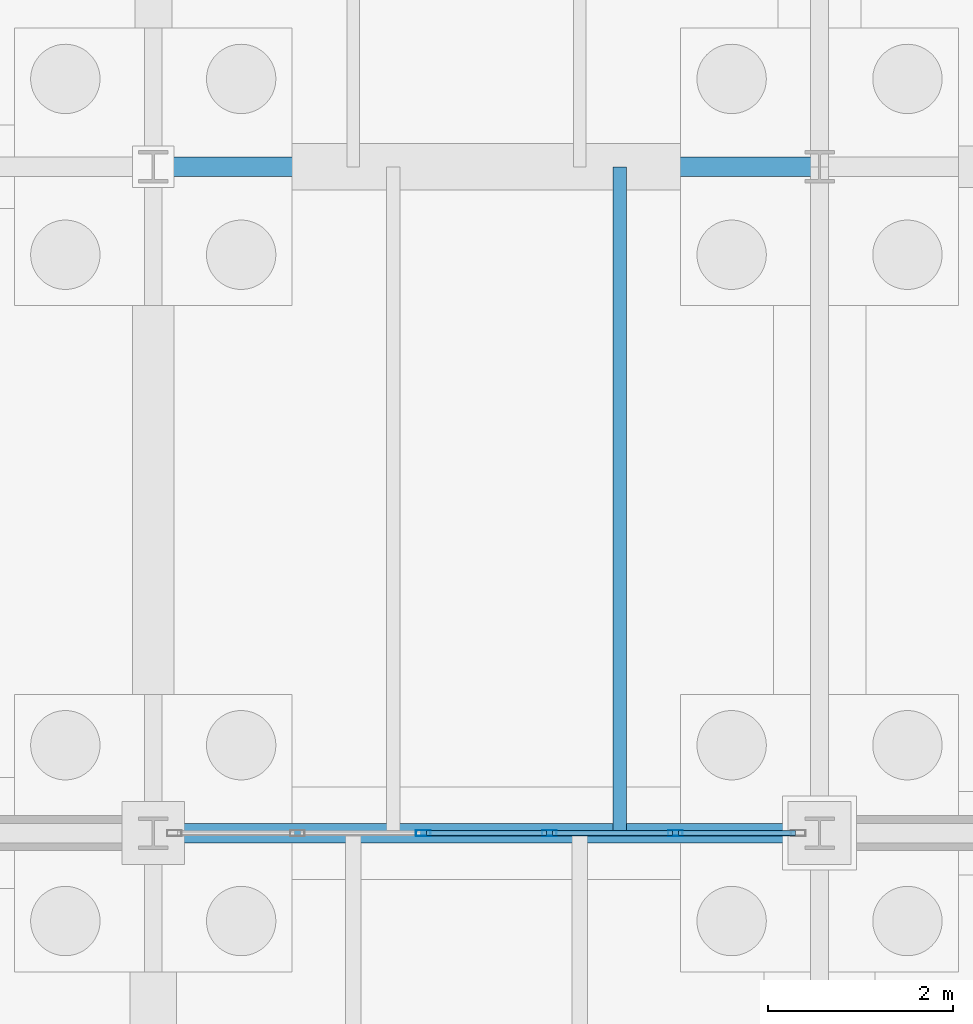
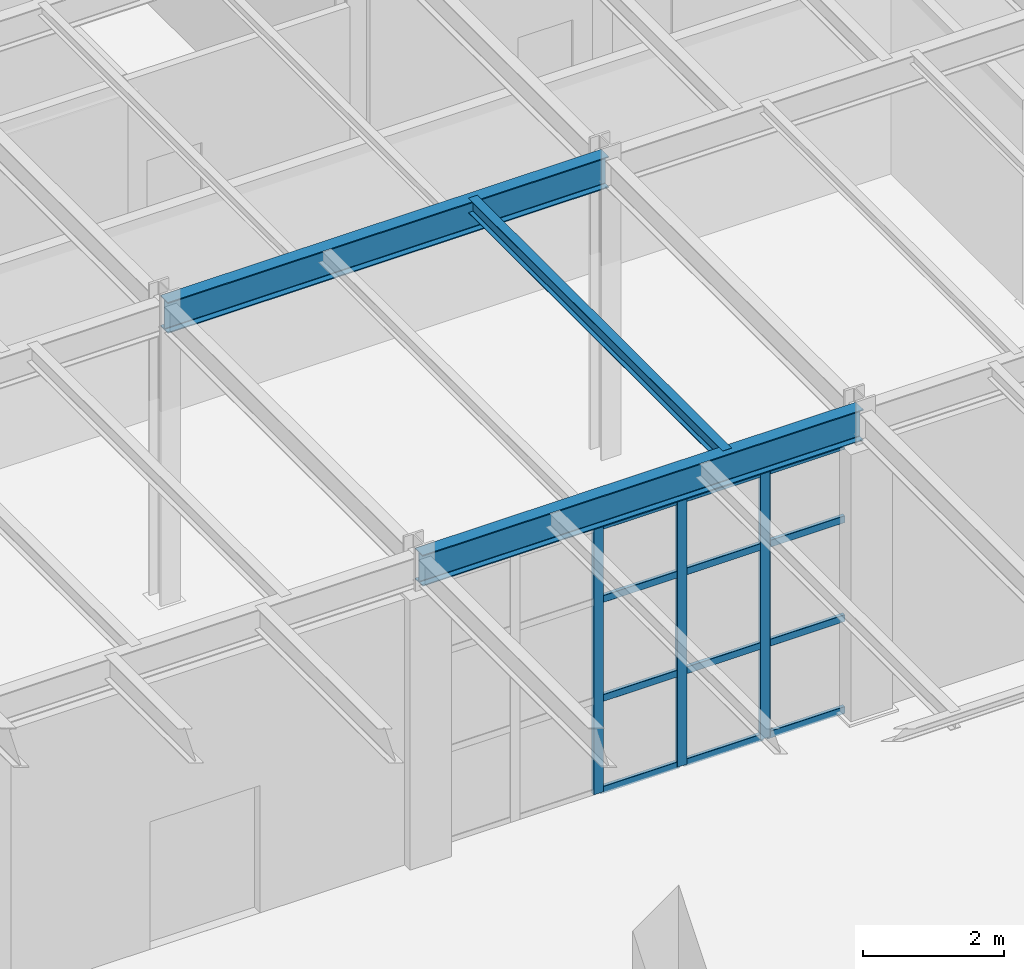
# One storey, part 73 of 293: 15 members, 3 beams, 1 element without a shape of its own.
"""IFC4 building model written with IfcOpenShell, lengths in metres."""

from ifc_helpers import new_model, si_unit, direction, frame, origin, origin_2d, place, context, subcontext, project, spatial, hollow_rectangle, i_section, extrude, material, layer, layer_set, material_profile, profile_set, type_object, element, aggregate, save


model = new_model("IFC4")

# Units and contexts
model_context = context("Model", 3, precision=1e-05, world=origin(), true_north=direction((0.0, 1.0)))
body_context = subcontext(model_context, "Body", "Model", "MODEL_VIEW")
ifc_project = project(units=[si_unit("LENGTHUNIT", "METRE"), si_unit("AREAUNIT", "SQUARE_METRE"), si_unit("VOLUMEUNIT", "CUBIC_METRE"), si_unit("PLANEANGLEUNIT", "RADIAN"), si_unit("MASSUNIT", "GRAM", prefix="KILO")], contexts=[model_context])

# Site, building, storey
site_placement = place(None, origin())
site = spatial("IfcSite", under=ifc_project, at=site_placement, CompositionType="ELEMENT")
building_placement = place(site_placement, origin())
building = spatial("IfcBuilding", under=site, at=building_placement, Name="Kemerveld Promenade Tramway Depot", CompositionType="ELEMENT")
storey_placement = place(building_placement, origin())
storey = spatial("IfcBuildingStorey", under=building, at=storey_placement, Name="L00", CompositionType="ELEMENT", Elevation=0.0)

# Beams
ifc_material_1 = material(Name="Steel S355", Category="steel")
ifc_material_profile_1 = material_profile(ifc_material_1, i_section(OverallWidth=0.2099609375, OverallDepth=0.53662109375, WebThickness=0.0107421875, FlangeThickness=0.017333984375, FilletRadius=0.0126953125, at=origin_2d()), Name="533x210x101 UB")
ifc_profile_set_1 = profile_set([ifc_material_profile_1], Name="Steel S355")
beam_type_1 = type_object("IfcBeamType", Name="BM-G05", PredefinedType="BEAM", material=ifc_profile_set_1)
for number, where, z_axis, x_axis, name in (
    (1, (72.0, 7.199951171875, 4.906494140625), (1.0, 0.0, 0.0), (0.0, 1.0, 0.0), "BMX-L00-11-12-B"),
    (2, (72.0, 14.39990234375, 4.906494140625), (1.0, 0.0, 0.0), (0.0, 1.0, 0.0), "BMX-L00-11-12-C"),
):
    element("IfcBeam", number, at=place(storey_placement, frame(where, z_axis=z_axis, x_axis=x_axis)), inside=storey, type_object=beam_type_1, Name=name, PredefinedType="BEAM", context=body_context, shape_type="SweptSolid", body=[
        extrude(i_section(OverallWidth=0.2099609375, OverallDepth=0.53662109375, WebThickness=0.0107421875, FlangeThickness=0.017333984375, FilletRadius=0.0126953125, at=origin_2d()), origin(), (0.0, 0.0, 1.0), 7.199951171875),
    ])
ifc_material_profile_2 = material_profile(ifc_material_1, i_section(OverallWidth=0.146484375, OverallDepth=0.256103515625, WebThickness=0.00634765625, FlangeThickness=0.010986328125, FilletRadius=0.007568359375, at=origin_2d()), Name="254x146x37 UB")
ifc_profile_set_2 = profile_set([ifc_material_profile_2], Name="Steel S355")
beam_type_2 = type_object("IfcBeamType", Name="BM-J02", PredefinedType="JOIST", material=ifc_profile_set_2)
beam_placement = place(storey_placement, frame((77.0400390625, 7.199951171875, 5.047119140625), z_axis=(0.0, 1.0, 0.0), x_axis=(-1.0, 0.0, 0.0)))
element("IfcBeam", 3, at=beam_placement, inside=storey, type_object=beam_type_2, Name="JST-L00-11-B-2", PredefinedType="JOIST", context=body_context, shape_type="SweptSolid", body=[
    extrude(i_section(OverallWidth=0.146484375, OverallDepth=0.256103515625, WebThickness=0.00634765625, FlangeThickness=0.010986328125, FilletRadius=0.007568359375, at=origin_2d()), origin(), (0.0, 0.0, 1.0), 7.199951171875),
])

# Curtain wall, members
ifc_material_2 = material(Name="Bronze anodised aluminium and solar glass", Category="aluminium")
ifc_layer = layer(ifc_material_2, 0.159912109375)
ifc_layer_set = layer_set([ifc_layer], Name="CW-SYS-01")
curtain_wall_type = type_object("IfcCurtainWallType", Name="CW-SYS-01", PredefinedType="USERDEFINED", material=ifc_layer_set)
curtain_wall_placement = place(storey_placement, origin())
curtain_wall = element("IfcCurtainWall", 4, at=curtain_wall_placement, inside=storey, type_object=curtain_wall_type, Name="CW-L00-V4S-12", ObjectType="GLAZED_CURTAIN_WALL", PredefinedType="USERDEFINED")
ifc_material_3 = material(Name="Bronze anodised aluminium", Category="aluminium")
ifc_material_profile_3 = material_profile(ifc_material_3, hollow_rectangle(XDim=0.06494140625, YDim=0.159912109375, WallThickness=0.00390625, InnerFilletRadius=0.001953125, OuterFilletRadius=0.00390625, at=origin_2d()), Name="CW-MUL-160x65")
ifc_profile_set_3 = profile_set([ifc_material_profile_3], Name="Bronze anodised aluminium")
member_type_1 = type_object("IfcMemberType", Name="CW-MUL-A", PredefinedType="MULLION", material=ifc_profile_set_3)
member_1_placement = place(storey_placement, frame((77.642333984375, 7.199951171875, 0.0), z_axis=(0.0, 0.0, 1.0), x_axis=(0.0, -1.0, 0.0)))
member_1 = element("IfcMember", 5, at=member_1_placement, type_object=member_type_1, Name="CW01 mullion 2", PredefinedType="MULLION", context=body_context, shape_type="SweptSolid", body=[
    extrude(hollow_rectangle(XDim=0.06494140625, YDim=0.159912109375, WallThickness=0.00390625, InnerFilletRadius=0.001953125, OuterFilletRadius=0.00390625, at=origin_2d()), origin(), (0.0, 0.0, 1.0), 4.618408203125),
])
member_2_placement = place(storey_placement, frame((76.28076171875, 7.199951171875, 0.0), z_axis=(0.0, 0.0, 1.0), x_axis=(0.0, -1.0, 0.0)))
member_2 = element("IfcMember", 6, at=member_2_placement, type_object=member_type_1, Name="CW01 mullion 3", PredefinedType="MULLION", context=body_context, shape_type="SweptSolid", body=[
    extrude(hollow_rectangle(XDim=0.06494140625, YDim=0.159912109375, WallThickness=0.00390625, InnerFilletRadius=0.001953125, OuterFilletRadius=0.00390625, at=origin_2d()), origin(), (0.0, 0.0, 1.0), 4.618408203125),
])
member_3_placement = place(storey_placement, frame((74.919189453125, 7.199951171875, 0.0), z_axis=(0.0, 0.0, 1.0), x_axis=(0.0, -1.0, 0.0)))
member_3 = element("IfcMember", 7, at=member_3_placement, type_object=member_type_1, Name="CW01 mullion 4", PredefinedType="MULLION", context=body_context, shape_type="SweptSolid", body=[
    extrude(hollow_rectangle(XDim=0.06494140625, YDim=0.159912109375, WallThickness=0.00390625, InnerFilletRadius=0.001953125, OuterFilletRadius=0.00390625, at=origin_2d()), origin(), (0.0, 0.0, 1.0), 4.618408203125),
])
ifc_material_profile_4 = material_profile(ifc_material_3, hollow_rectangle(XDim=0.06005859375, YDim=0.1201171875, WallThickness=0.00390625, InnerFilletRadius=0.001953125, OuterFilletRadius=0.00390625, at=origin_2d()), Name="CW-TRN-120x60")
ifc_profile_set_4 = profile_set([ifc_material_profile_4], Name="Bronze anodised aluminium")
member_type_2 = type_object("IfcMemberType", Name="CW-TRN-A", PredefinedType="USERDEFINED", material=ifc_profile_set_4)
member_4_placement = place(storey_placement, frame((78.938720703125, 7.199951171875, 0.030029296875), z_axis=(-1.0, 0.0, 0.0), x_axis=(0.0, -1.0, 0.0)))
member_4 = element("IfcMember", 8, at=member_4_placement, type_object=member_type_2, Name="CW01 transom 1.1", ObjectType="TRANSOM", PredefinedType="USERDEFINED", context=body_context, shape_type="SweptSolid", body=[
    extrude(hollow_rectangle(XDim=0.06005859375, YDim=0.1201171875, WallThickness=0.00390625, InnerFilletRadius=0.001953125, OuterFilletRadius=0.00390625, at=origin_2d()), origin(), (0.0, 0.0, 1.0), 1.263916015625),
])
member_5_placement = place(storey_placement, frame((78.938720703125, 7.199951171875, 1.615966796875), z_axis=(-1.0, 0.0, 0.0), x_axis=(0.0, -1.0, 0.0)))
member_5 = element("IfcMember", 9, at=member_5_placement, type_object=member_type_2, Name="CW01 transom 1.2", ObjectType="TRANSOM", PredefinedType="USERDEFINED", context=body_context, shape_type="SweptSolid", body=[
    extrude(hollow_rectangle(XDim=0.06005859375, YDim=0.1201171875, WallThickness=0.00390625, InnerFilletRadius=0.001953125, OuterFilletRadius=0.00390625, at=origin_2d()), origin(), (0.0, 0.0, 1.0), 1.263916015625),
])
member_6_placement = place(storey_placement, frame((78.938720703125, 7.199951171875, 3.324951171875), z_axis=(-1.0, 0.0, 0.0), x_axis=(0.0, -1.0, 0.0)))
member_6 = element("IfcMember", 10, at=member_6_placement, type_object=member_type_2, Name="CW01 transom 1.3", ObjectType="TRANSOM", PredefinedType="USERDEFINED", context=body_context, shape_type="SweptSolid", body=[
    extrude(hollow_rectangle(XDim=0.06005859375, YDim=0.1201171875, WallThickness=0.00390625, InnerFilletRadius=0.001953125, OuterFilletRadius=0.00390625, at=origin_2d()), origin(), (0.0, 0.0, 1.0), 1.263916015625),
])
member_7_placement = place(storey_placement, frame((78.938720703125, 7.199951171875, 4.58837890625), z_axis=(-1.0, 0.0, 0.0), x_axis=(0.0, -1.0, 0.0)))
member_7 = element("IfcMember", 11, at=member_7_placement, type_object=member_type_2, Name="CW01 transom 1.4", ObjectType="TRANSOM", PredefinedType="USERDEFINED", context=body_context, shape_type="SweptSolid", body=[
    extrude(hollow_rectangle(XDim=0.06005859375, YDim=0.1201171875, WallThickness=0.00390625, InnerFilletRadius=0.001953125, OuterFilletRadius=0.00390625, at=origin_2d()), origin(), (0.0, 0.0, 1.0), 1.263916015625),
])
member_8_placement = place(storey_placement, frame((77.609619140625, 7.199951171875, 0.030029296875), z_axis=(-1.0, 0.0, 0.0), x_axis=(0.0, -1.0, 0.0)))
member_8 = element("IfcMember", 12, at=member_8_placement, type_object=member_type_2, Name="CW01 transom 2.1", ObjectType="TRANSOM", PredefinedType="USERDEFINED", context=body_context, shape_type="SweptSolid", body=[
    extrude(hollow_rectangle(XDim=0.06005859375, YDim=0.1201171875, WallThickness=0.00390625, InnerFilletRadius=0.001953125, OuterFilletRadius=0.00390625, at=origin_2d()), origin(), (0.0, 0.0, 1.0), 1.29638671875),
])
member_9_placement = place(storey_placement, frame((77.609619140625, 7.199951171875, 1.615966796875), z_axis=(-1.0, 0.0, 0.0), x_axis=(0.0, -1.0, 0.0)))
member_9 = element("IfcMember", 13, at=member_9_placement, type_object=member_type_2, Name="CW01 transom 2.2", ObjectType="TRANSOM", PredefinedType="USERDEFINED", context=body_context, shape_type="SweptSolid", body=[
    extrude(hollow_rectangle(XDim=0.06005859375, YDim=0.1201171875, WallThickness=0.00390625, InnerFilletRadius=0.001953125, OuterFilletRadius=0.00390625, at=origin_2d()), origin(), (0.0, 0.0, 1.0), 1.29638671875),
])
member_10_placement = place(storey_placement, frame((77.609619140625, 7.199951171875, 3.324951171875), z_axis=(-1.0, 0.0, 0.0), x_axis=(0.0, -1.0, 0.0)))
member_10 = element("IfcMember", 14, at=member_10_placement, type_object=member_type_2, Name="CW01 transom 2.3", ObjectType="TRANSOM", PredefinedType="USERDEFINED", context=body_context, shape_type="SweptSolid", body=[
    extrude(hollow_rectangle(XDim=0.06005859375, YDim=0.1201171875, WallThickness=0.00390625, InnerFilletRadius=0.001953125, OuterFilletRadius=0.00390625, at=origin_2d()), origin(), (0.0, 0.0, 1.0), 1.29638671875),
])
member_11_placement = place(storey_placement, frame((77.609619140625, 7.199951171875, 4.58837890625), z_axis=(-1.0, 0.0, 0.0), x_axis=(0.0, -1.0, 0.0)))
member_11 = element("IfcMember", 15, at=member_11_placement, type_object=member_type_2, Name="CW01 transom 2.4", ObjectType="TRANSOM", PredefinedType="USERDEFINED", context=body_context, shape_type="SweptSolid", body=[
    extrude(hollow_rectangle(XDim=0.06005859375, YDim=0.1201171875, WallThickness=0.00390625, InnerFilletRadius=0.001953125, OuterFilletRadius=0.00390625, at=origin_2d()), origin(), (0.0, 0.0, 1.0), 1.29638671875),
])
member_12_placement = place(storey_placement, frame((76.248291015625, 7.199951171875, 0.030029296875), z_axis=(-1.0, 0.0, 0.0), x_axis=(0.0, -1.0, 0.0)))
member_12 = element("IfcMember", 16, at=member_12_placement, type_object=member_type_2, Name="CW01 transom 3.1", ObjectType="TRANSOM", PredefinedType="USERDEFINED", context=body_context, shape_type="SweptSolid", body=[
    extrude(hollow_rectangle(XDim=0.06005859375, YDim=0.1201171875, WallThickness=0.00390625, InnerFilletRadius=0.001953125, OuterFilletRadius=0.00390625, at=origin_2d()), origin(), (0.0, 0.0, 1.0), 1.296630859375),
])
member_13_placement = place(storey_placement, frame((76.248291015625, 7.199951171875, 1.615966796875), z_axis=(-1.0, 0.0, 0.0), x_axis=(0.0, -1.0, 0.0)))
member_13 = element("IfcMember", 17, at=member_13_placement, type_object=member_type_2, Name="CW01 transom 3.2", ObjectType="TRANSOM", PredefinedType="USERDEFINED", context=body_context, shape_type="SweptSolid", body=[
    extrude(hollow_rectangle(XDim=0.06005859375, YDim=0.1201171875, WallThickness=0.00390625, InnerFilletRadius=0.001953125, OuterFilletRadius=0.00390625, at=origin_2d()), origin(), (0.0, 0.0, 1.0), 1.296630859375),
])
member_14_placement = place(storey_placement, frame((76.248291015625, 7.199951171875, 3.324951171875), z_axis=(-1.0, 0.0, 0.0), x_axis=(0.0, -1.0, 0.0)))
member_14 = element("IfcMember", 18, at=member_14_placement, type_object=member_type_2, Name="CW01 transom 3.3", ObjectType="TRANSOM", PredefinedType="USERDEFINED", context=body_context, shape_type="SweptSolid", body=[
    extrude(hollow_rectangle(XDim=0.06005859375, YDim=0.1201171875, WallThickness=0.00390625, InnerFilletRadius=0.001953125, OuterFilletRadius=0.00390625, at=origin_2d()), origin(), (0.0, 0.0, 1.0), 1.296630859375),
])
member_15_placement = place(storey_placement, frame((76.248291015625, 7.199951171875, 4.58837890625), z_axis=(-1.0, 0.0, 0.0), x_axis=(0.0, -1.0, 0.0)))
member_15 = element("IfcMember", 19, at=member_15_placement, type_object=member_type_2, Name="CW01 transom 3.4", ObjectType="TRANSOM", PredefinedType="USERDEFINED", context=body_context, shape_type="SweptSolid", body=[
    extrude(hollow_rectangle(XDim=0.06005859375, YDim=0.1201171875, WallThickness=0.00390625, InnerFilletRadius=0.001953125, OuterFilletRadius=0.00390625, at=origin_2d()), origin(), (0.0, 0.0, 1.0), 1.296630859375),
])
aggregate(curtain_wall, [member_1, member_2, member_3, member_4, member_5, member_6, member_7, member_8, member_9, member_10, member_11, member_12, member_13, member_14, member_15])

save(model, "model.ifc")
